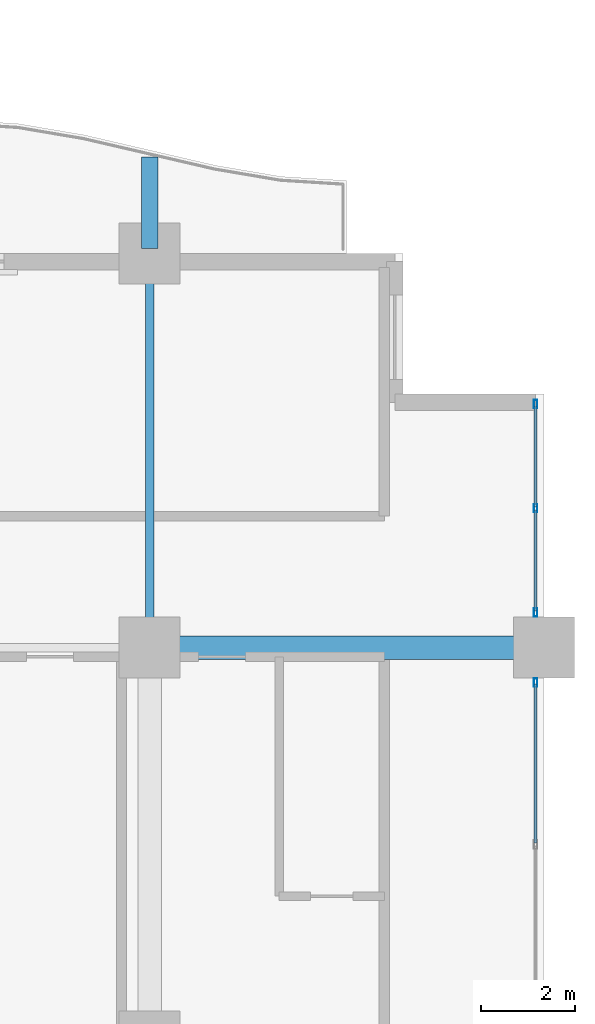
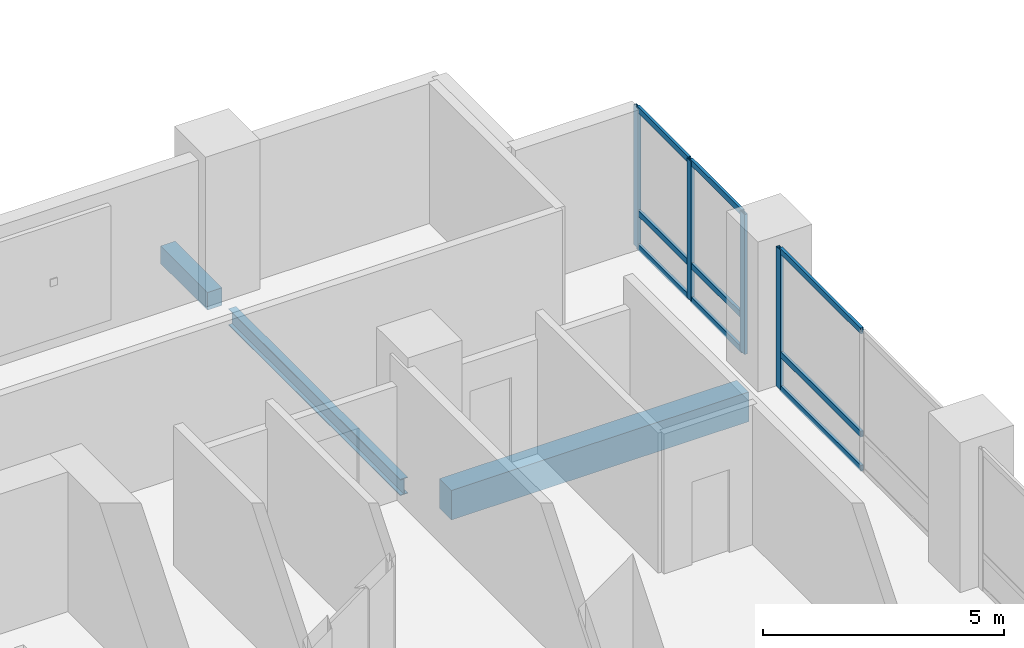
# One storey, part 6 of 24: 13 members, 3 beams, 2 elements without a shape of their own.
"""IFC4 building model written with IfcOpenShell, lengths in metres."""

from ifc_helpers import new_model, si_unit, direction, frame, origin, origin_2d, place, context, subcontext, project, spatial, rectangle, hollow_rectangle, i_section, extrude, material, layer, layer_set, material_profile, profile_set, type_object, element, aggregate, save


model = new_model("IFC4")

# Units and contexts
model_context = context("Model", 3, precision=1e-05, world=origin(), true_north=direction((0.0, 1.0)))
body_context = subcontext(model_context, "Body", "Model", "MODEL_VIEW")
ifc_project = project(units=[si_unit("LENGTHUNIT", "METRE"), si_unit("AREAUNIT", "SQUARE_METRE"), si_unit("VOLUMEUNIT", "CUBIC_METRE"), si_unit("PLANEANGLEUNIT", "RADIAN"), si_unit("MASSUNIT", "GRAM", prefix="KILO")], contexts=[model_context])

# Site, building, storey
site_placement = place(None, origin())
site = spatial("IfcSite", under=ifc_project, at=site_placement, CompositionType="ELEMENT")
building_placement = place(site_placement, origin())
building = spatial("IfcBuilding", under=site, at=building_placement, Name="Koriwani Terraces Tower", CompositionType="ELEMENT")
storey_placement = place(building_placement, frame((0.0, 0.0, 149.39990234375)))
storey = spatial("IfcBuildingStorey", under=building, at=storey_placement, Name="L36", CompositionType="ELEMENT", Elevation=149.39990234375)

# Beams
ifc_material_1 = material(Name="Concrete C40/50", Category="concrete")
ifc_material_profile_1 = material_profile(ifc_material_1, rectangle(XDim=0.35009765625, YDim=0.449951171875, at=origin_2d()), Name="Concrete C40/50", Category="LoadBearing")
ifc_profile_set_1 = profile_set([ifc_material_profile_1], Name="Concrete C40/50")
beam_type_1 = type_object("IfcBeamType", Name="BEAM_RC_BALCONY_RIB_350X450", PredefinedType="JOIST", material=ifc_profile_set_1)
beam_1_placement = place(storey_placement, frame((67.199951171875, 33.699951171875, -0.474853515625), z_axis=(0.0, 1.0, 0.0), x_axis=(-1.0, 0.0, 0.0)))
element("IfcBeam", 1, at=beam_1_placement, inside=storey, type_object=beam_type_1, Name="L36 Balcony Bracket Rib NE-4", PredefinedType="JOIST", context=body_context, shape_type="SweptSolid", body=[
    extrude(rectangle(XDim=0.35009765625, YDim=0.449951171875, at=origin_2d()), origin(), (0.0, 0.0, 1.0), 1.949951171875),
])
ifc_material_2 = material(Name="Concrete C50/60", Category="concrete")
ifc_material_profile_2 = material_profile(ifc_material_2, rectangle(XDim=0.5, YDim=0.75, at=origin_2d()), Name="Concrete C50/60", Category="LoadBearing")
ifc_profile_set_2 = profile_set([ifc_material_profile_2], Name="Concrete C50/60")
beam_type_2 = type_object("IfcBeamType", Name="BEAM_RC_GRID_500X750", PredefinedType="BEAM", material=ifc_profile_set_2)
beam_2_placement = place(storey_placement, frame((67.830078125, 25.199951171875, -0.625), z_axis=(1.0, 0.0, 0.0), x_axis=(0.0, 1.0, 0.0)))
element("IfcBeam", 2, at=beam_2_placement, inside=storey, type_object=beam_type_2, Name="L36 Grid Beam D (67.2-75.6m)", PredefinedType="BEAM", context=body_context, shape_type="SweptSolid", body=[
    extrude(rectangle(XDim=0.5, YDim=0.75, at=origin_2d()), origin(), (0.0, 0.0, 1.0), 7.139892578125),
])

# Curtain wall, members
ifc_material_3 = material(Name="Anodised Bronze Aluminium", Category="aluminium")
ifc_layer = layer(ifc_material_3, 0.179931640625, Name="Anodised Bronze Aluminium")
ifc_layer_set = layer_set([ifc_layer], Name="Anodised Bronze Aluminium")
curtain_wall_type = type_object("IfcCurtainWallType", Name="CW_HOTEL_ZONE2", PredefinedType="NOTDEFINED", material=ifc_layer_set)
curtain_wall_1_placement = place(storey_placement, origin())
curtain_wall_1 = element("IfcCurtainWall", 3, at=curtain_wall_1_placement, inside=storey, type_object=curtain_wall_type, Name="L36 Unitised Curtain Wall (E_TIP) Bay 1", PredefinedType="NOTDEFINED")
ifc_material_profile_3 = material_profile(ifc_material_3, hollow_rectangle(XDim=0.074951171875, YDim=0.179931640625, WallThickness=0.006103515625, at=origin_2d()), Name="Anodised Bronze Aluminium", Category="LoadBearing")
ifc_profile_set_3 = profile_set([ifc_material_profile_3], Name="Anodised Bronze Aluminium")
member_type_1 = type_object("IfcMemberType", Name="CW_MULLION_180X75", PredefinedType="MULLION", material=ifc_profile_set_3)
member_1_placement = place(storey_placement, frame((75.425048828125, 30.387451171875, 0.0), z_axis=(0.0, 0.0, 1.0), x_axis=(1.0, 0.0, 0.0)))
member_1 = element("IfcMember", 4, at=member_1_placement, type_object=member_type_1, Name="CW-Z2 mullion 1", PredefinedType="MULLION", context=body_context, shape_type="SweptSolid", body=[
    extrude(hollow_rectangle(XDim=0.074951171875, YDim=0.179931640625, WallThickness=0.006103515625, at=origin_2d()), origin(), (0.0, 0.0, 1.0), 3.550048828125),
])
member_2_placement = place(storey_placement, frame((75.425048828125, 28.16748046875, 0.0), z_axis=(0.0, 0.0, 1.0), x_axis=(1.0, 0.0, 0.0)))
member_2 = element("IfcMember", 5, at=member_2_placement, type_object=member_type_1, Name="CW-Z2 mullion 2", PredefinedType="MULLION", context=body_context, shape_type="SweptSolid", body=[
    extrude(hollow_rectangle(XDim=0.074951171875, YDim=0.179931640625, WallThickness=0.006103515625, at=origin_2d()), origin(), (0.0, 0.0, 1.0), 3.550048828125),
])
member_3_placement = place(storey_placement, frame((75.425048828125, 25.947509765625, 0.0), z_axis=(0.0, 0.0, 1.0), x_axis=(1.0, 0.0, 0.0)))
member_3 = element("IfcMember", 6, at=member_3_placement, type_object=member_type_1, Name="CW-Z2 mullion 3", PredefinedType="MULLION", context=body_context, shape_type="SweptSolid", body=[
    extrude(hollow_rectangle(XDim=0.074951171875, YDim=0.179931640625, WallThickness=0.006103515625, at=origin_2d()), origin(), (0.0, 0.0, 1.0), 3.550048828125),
])

# Curtain wall, member
curtain_wall_2_placement = place(storey_placement, origin())
curtain_wall_2 = element("IfcCurtainWall", 7, at=curtain_wall_2_placement, inside=storey, type_object=curtain_wall_type, Name="L36 Unitised Curtain Wall (E_TIP) Bay 2", PredefinedType="NOTDEFINED")
member_4_placement = place(storey_placement, frame((75.425048828125, 24.452392578125, 0.0), z_axis=(0.0, 0.0, 1.0), x_axis=(1.0, 0.0, 0.0)))
member_4 = element("IfcMember", 8, at=member_4_placement, type_object=member_type_1, Name="CW-Z2 mullion 1", PredefinedType="MULLION", context=body_context, shape_type="SweptSolid", body=[
    extrude(hollow_rectangle(XDim=0.074951171875, YDim=0.179931640625, WallThickness=0.006103515625, at=origin_2d()), origin(), (0.0, 0.0, 1.0), 3.550048828125),
])

# Member
ifc_material_profile_4 = material_profile(ifc_material_3, hollow_rectangle(XDim=0.06494140625, YDim=0.14990234375, WallThickness=0.0048828125, at=origin_2d()), Name="Anodised Bronze Aluminium", Category="LoadBearing")
ifc_profile_set_4 = profile_set([ifc_material_profile_4], Name="Anodised Bronze Aluminium")
member_type_2 = type_object("IfcMemberType", Name="CW_TRANSOM_150X65", PredefinedType="USERDEFINED", material=ifc_profile_set_4)
member_5_placement = place(storey_placement, frame((75.425048828125, 30.35009765625, 0.03271484375), z_axis=(0.0, -1.0, 0.0), x_axis=(1.0, 0.0, 0.0)))
member_5 = element("IfcMember", 9, at=member_5_placement, type_object=member_type_2, Name="CW-Z2 transom 1.1", ObjectType="TRANSOM", PredefinedType="USERDEFINED", context=body_context, shape_type="SweptSolid", body=[
    extrude(hollow_rectangle(XDim=0.06494140625, YDim=0.14990234375, WallThickness=0.0048828125, at=origin_2d()), origin(), (0.0, 0.0, 1.0), 2.14501953125),
])

member_6_placement = place(storey_placement, frame((75.425048828125, 30.35009765625, 0.900146484375), z_axis=(0.0, -1.0, 0.0), x_axis=(1.0, 0.0, 0.0)))
member_6 = element("IfcMember", 10, at=member_6_placement, type_object=member_type_2, Name="CW-Z2 transom 1.2", ObjectType="TRANSOM", PredefinedType="USERDEFINED", context=body_context, shape_type="SweptSolid", body=[
    extrude(hollow_rectangle(XDim=0.06494140625, YDim=0.14990234375, WallThickness=0.0048828125, at=origin_2d()), origin(), (0.0, 0.0, 1.0), 2.14501953125),
])

member_7_placement = place(storey_placement, frame((75.425048828125, 30.35009765625, 3.517578125), z_axis=(0.0, -1.0, 0.0), x_axis=(1.0, 0.0, 0.0)))
member_7 = element("IfcMember", 11, at=member_7_placement, type_object=member_type_2, Name="CW-Z2 transom 1.3", ObjectType="TRANSOM", PredefinedType="USERDEFINED", context=body_context, shape_type="SweptSolid", body=[
    extrude(hollow_rectangle(XDim=0.06494140625, YDim=0.14990234375, WallThickness=0.0048828125, at=origin_2d()), origin(), (0.0, 0.0, 1.0), 2.14501953125),
])

member_8_placement = place(storey_placement, frame((75.425048828125, 28.1298828125, 0.03271484375), z_axis=(0.0, -1.0, 0.0), x_axis=(1.0, 0.0, 0.0)))
member_8 = element("IfcMember", 12, at=member_8_placement, type_object=member_type_2, Name="CW-Z2 transom 2.1", ObjectType="TRANSOM", PredefinedType="USERDEFINED", context=body_context, shape_type="SweptSolid", body=[
    extrude(hollow_rectangle(XDim=0.06494140625, YDim=0.14990234375, WallThickness=0.0048828125, at=origin_2d()), origin(), (0.0, 0.0, 1.0), 2.144775390625),
])

member_9_placement = place(storey_placement, frame((75.425048828125, 28.1298828125, 0.900146484375), z_axis=(0.0, -1.0, 0.0), x_axis=(1.0, 0.0, 0.0)))
member_9 = element("IfcMember", 13, at=member_9_placement, type_object=member_type_2, Name="CW-Z2 transom 2.2", ObjectType="TRANSOM", PredefinedType="USERDEFINED", context=body_context, shape_type="SweptSolid", body=[
    extrude(hollow_rectangle(XDim=0.06494140625, YDim=0.14990234375, WallThickness=0.0048828125, at=origin_2d()), origin(), (0.0, 0.0, 1.0), 2.144775390625),
])

member_10_placement = place(storey_placement, frame((75.425048828125, 28.1298828125, 3.517578125), z_axis=(0.0, -1.0, 0.0), x_axis=(1.0, 0.0, 0.0)))
member_10 = element("IfcMember", 14, at=member_10_placement, type_object=member_type_2, Name="CW-Z2 transom 2.3", ObjectType="TRANSOM", PredefinedType="USERDEFINED", context=body_context, shape_type="SweptSolid", body=[
    extrude(hollow_rectangle(XDim=0.06494140625, YDim=0.14990234375, WallThickness=0.0048828125, at=origin_2d()), origin(), (0.0, 0.0, 1.0), 2.144775390625),
])

aggregate(curtain_wall_1, [member_1, member_2, member_3, member_5, member_6, member_7, member_8, member_9, member_10])

member_11_placement = place(storey_placement, frame((75.425048828125, 24.4150390625, 0.03271484375), z_axis=(0.0, -1.0, 0.0), x_axis=(1.0, 0.0, 0.0)))
member_11 = element("IfcMember", 15, at=member_11_placement, type_object=member_type_2, Name="CW-Z2 transom 1.1", ObjectType="TRANSOM", PredefinedType="USERDEFINED", context=body_context, shape_type="SweptSolid", body=[
    extrude(hollow_rectangle(XDim=0.06494140625, YDim=0.14990234375, WallThickness=0.0048828125, at=origin_2d()), origin(), (0.0, 0.0, 1.0), 3.37744140625),
])

member_12_placement = place(storey_placement, frame((75.425048828125, 24.4150390625, 0.900146484375), z_axis=(0.0, -1.0, 0.0), x_axis=(1.0, 0.0, 0.0)))
member_12 = element("IfcMember", 16, at=member_12_placement, type_object=member_type_2, Name="CW-Z2 transom 1.2", ObjectType="TRANSOM", PredefinedType="USERDEFINED", context=body_context, shape_type="SweptSolid", body=[
    extrude(hollow_rectangle(XDim=0.06494140625, YDim=0.14990234375, WallThickness=0.0048828125, at=origin_2d()), origin(), (0.0, 0.0, 1.0), 3.37744140625),
])

member_13_placement = place(storey_placement, frame((75.425048828125, 24.4150390625, 3.517578125), z_axis=(0.0, -1.0, 0.0), x_axis=(1.0, 0.0, 0.0)))
member_13 = element("IfcMember", 17, at=member_13_placement, type_object=member_type_2, Name="CW-Z2 transom 1.3", ObjectType="TRANSOM", PredefinedType="USERDEFINED", context=body_context, shape_type="SweptSolid", body=[
    extrude(hollow_rectangle(XDim=0.06494140625, YDim=0.14990234375, WallThickness=0.0048828125, at=origin_2d()), origin(), (0.0, 0.0, 1.0), 3.37744140625),
])

aggregate(curtain_wall_2, [member_4, member_11, member_12, member_13])

# Beam
ifc_material_4 = material(Name="Steel ASTM A572 Grade 50", Category="steel")
ifc_material_profile_5 = material_profile(ifc_material_4, i_section(OverallWidth=0.180908203125, OverallDepth=0.4169921875, WebThickness=0.010986328125, FlangeThickness=0.018310546875, at=origin_2d()), Name="Steel ASTM A572 Grade 50", Category="LoadBearing")
ifc_profile_set_5 = profile_set([ifc_material_profile_5], Name="Steel ASTM A572 Grade 50")
beam_type_3 = type_object("IfcBeamType", Name="STEEL_BEAM_W410X85", PredefinedType="JOIST", material=ifc_profile_set_5)
beam_3_placement = place(storey_placement, frame((67.199951171875, 25.830078125, -0.45849609375), z_axis=(0.0, 1.0, 0.0), x_axis=(-1.0, 0.0, 0.0)))
element("IfcBeam", 18, at=beam_3_placement, inside=storey, type_object=beam_type_3, Name="L36 Grid Beam 9 (25.2-33.6m)", PredefinedType="JOIST", context=body_context, shape_type="SweptSolid", body=[
    extrude(i_section(OverallWidth=0.180908203125, OverallDepth=0.4169921875, WebThickness=0.010986328125, FlangeThickness=0.018310546875, at=origin_2d()), origin(), (0.0, 0.0, 1.0), 7.139892578125),
])

save(model, "model.ifc")
